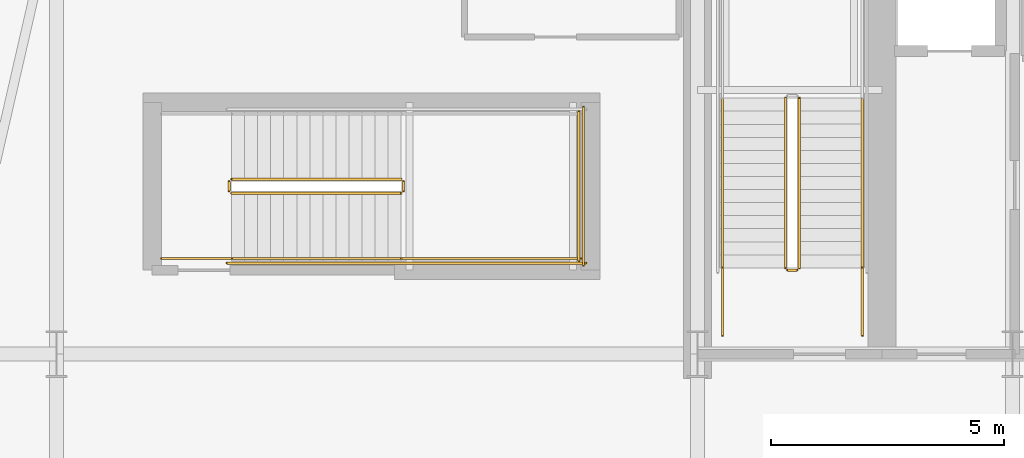
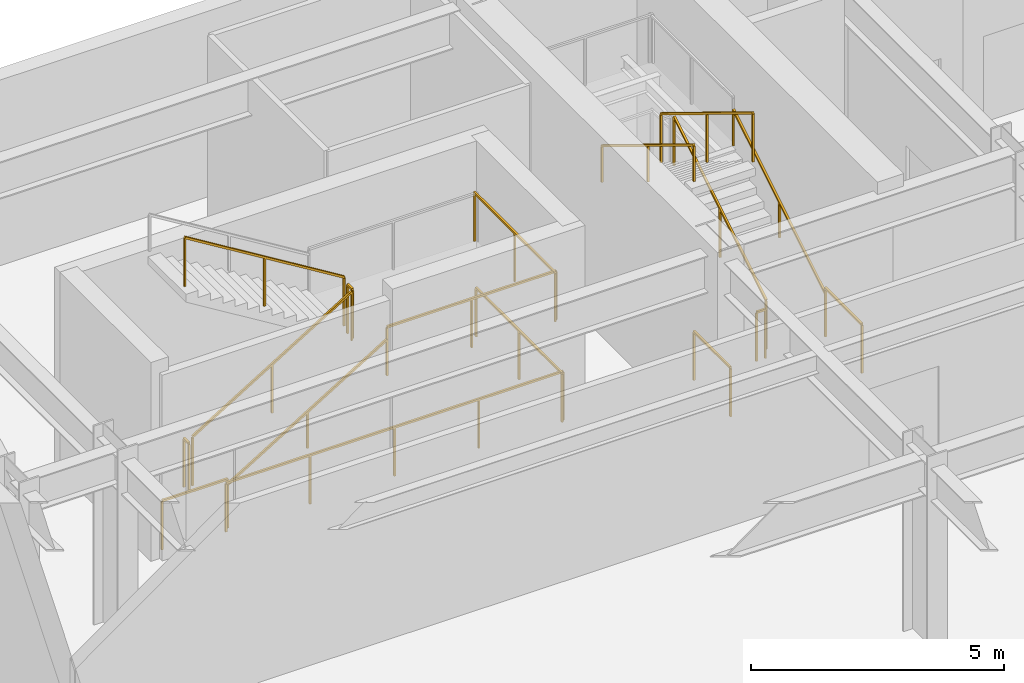
# One storey, part 22 of 30: 17 railings.
"""IFC4 building model written with IfcOpenShell, lengths in metres."""

from ifc_helpers import new_model, si_unit, direction, frame, origin, origin_2d, place, context, subcontext, project, spatial, rectangle, extrude, material, type_object, element, save


model = new_model("IFC4")

# Units and contexts
model_context = context("Model", 3, precision=1e-05, world=origin(), true_north=direction((0.0, 1.0)))
body_context = subcontext(model_context, "Body", "Model", "MODEL_VIEW")
ifc_project = project(units=[si_unit("LENGTHUNIT", "METRE"), si_unit("AREAUNIT", "SQUARE_METRE"), si_unit("VOLUMEUNIT", "CUBIC_METRE"), si_unit("PLANEANGLEUNIT", "RADIAN"), si_unit("MASSUNIT", "GRAM", prefix="KILO")], contexts=[model_context])

# Site, building, storey
site_placement = place(None, origin())
site = spatial("IfcSite", under=ifc_project, at=site_placement, CompositionType="ELEMENT")
building_placement = place(site_placement, origin())
building = spatial("IfcBuilding", under=site, at=building_placement, Name="Haevon Station Towers", CompositionType="ELEMENT")
storey_placement = place(building_placement, frame((0.0, 0.0, 15.60009765625)))
storey = spatial("IfcBuildingStorey", under=building, at=storey_placement, Name="L03", CompositionType="ELEMENT", Elevation=15.60009765625)

# Railings
ifc_material = material(Name="Steel S355", Category="steel")
railing_type_1 = type_object("IfcRailingType", Name="GRD-STR1200", PredefinedType="GUARDRAIL", material=ifc_material)
railing_1_placement = place(storey_placement, frame((26.179931640625, 40.050048828125, 0.17138671875)))
element("IfcRailing", 1, at=railing_1_placement, inside=storey, type_object=railing_type_1, Name="L03 ST1 Stair Guard 1", PredefinedType="GUARDRAIL", context=body_context, shape_type="SweptSolid", body=[
    extrude(rectangle(XDim=0.048095703125, YDim=0.048095703125, at=origin_2d()), frame((0.0, 0.0, 1.17578125), z_axis=(0.0, 0.852850264322, 0.5221555579), x_axis=(-1.0, 0.0, 0.0)), (0.0, 0.0, 1.0), 4.267822265625),
    extrude(rectangle(XDim=0.0419921875, YDim=0.0419921875, at=origin_2d()), origin(), (0.0, 0.0, 1.0), 1.15185546875),
    extrude(rectangle(XDim=0.0419921875, YDim=0.0419921875, at=origin_2d()), frame((0.0, 1.81982421875, 1.1142578125)), (0.0, 0.0, 1.0), 1.15185546875),
    extrude(rectangle(XDim=0.0419921875, YDim=0.0419921875, at=origin_2d()), frame((0.0, 3.639892578125, 2.228515625)), (0.0, 0.0, 1.0), 1.15185546875),
])
railing_2_placement = place(storey_placement, frame((25.8798828125, 43.68994140625, 2.5712890625)))
element("IfcRailing", 2, at=railing_2_placement, inside=storey, type_object=railing_type_1, Name="L03 ST1 Stair Guard 6", PredefinedType="GUARDRAIL", context=body_context, shape_type="SweptSolid", body=[
    extrude(rectangle(XDim=0.048095703125, YDim=0.048095703125, at=origin_2d()), frame((0.0, 0.0, 1.17578125), z_axis=(0.0, -0.852850264322, 0.5221555579), x_axis=(1.0, 0.0, 0.0)), (0.0, 0.0, 1.0), 4.267822265625),
    extrude(rectangle(XDim=0.0419921875, YDim=0.0419921875, at=origin_2d()), origin(), (0.0, 0.0, 1.0), 1.15185546875),
    extrude(rectangle(XDim=0.0419921875, YDim=0.0419921875, at=origin_2d()), frame((0.0, -1.81982421875, 1.1142578125)), (0.0, 0.0, 1.0), 1.15185546875),
    extrude(rectangle(XDim=0.0419921875, YDim=0.0419921875, at=origin_2d()), frame((0.0, -3.639892578125, 2.228515625)), (0.0, 0.0, 1.0), 1.15185546875),
])
railing_3_placement = place(storey_placement, frame((26.1298828125, 40.0, 0.0)))
element("IfcRailing", 3, at=railing_3_placement, inside=storey, type_object=railing_type_1, Name="L03 ST1 Stair Guard 7", PredefinedType="GUARDRAIL", context=body_context, shape_type="SweptSolid", body=[
    extrude(rectangle(XDim=0.048095703125, YDim=0.048095703125, at=origin_2d()), frame((0.0, 0.0, 1.17578125), z_axis=(-1.0, 0.0, 0.0), x_axis=(0.0, -1.0, 0.0)), (0.0, 0.0, 1.0), 0.199951171875),
    extrude(rectangle(XDim=0.0419921875, YDim=0.0419921875, at=origin_2d()), origin(), (0.0, 0.0, 1.0), 1.15185546875),
    extrude(rectangle(XDim=0.0419921875, YDim=0.0419921875, at=origin_2d()), frame((-0.199951171875, 0.0, 0.0)), (0.0, 0.0, 1.0), 1.15185546875),
])
for number, where, name in (
    (4, (27.530029296875, 38.60009765625, 0.0), "L03 ST1 Stair Guard 8"),
    (5, (24.530029296875, 38.60009765625, 0.0), "L03 ST1 Stair Guard 9"),
):
    element("IfcRailing", number, at=place(storey_placement, frame(where)), inside=storey, type_object=railing_type_1, Name=name, PredefinedType="GUARDRAIL", context=body_context, shape_type="SweptSolid", body=[
        extrude(rectangle(XDim=0.048095703125, YDim=0.048095703125, at=origin_2d()), frame((0.0, 0.0, 1.17578125), z_axis=(0.0, 1.0, 0.0), x_axis=(-1.0, 0.0, 0.0)), (0.0, 0.0, 1.0), 1.449951171875),
        extrude(rectangle(XDim=0.0419921875, YDim=0.0419921875, at=origin_2d()), origin(), (0.0, 0.0, 1.0), 1.15185546875),
        extrude(rectangle(XDim=0.0419921875, YDim=0.0419921875, at=origin_2d()), frame((0.0, 1.449951171875, 0.0)), (0.0, 0.0, 1.0), 1.15185546875),
    ])
railing_4_placement = place(storey_placement, frame((14.0, 41.64990234375, 0.17138671875)))
element("IfcRailing", 6, at=railing_4_placement, inside=storey, type_object=railing_type_1, Name="L03 ST5 Stair Guard 1", PredefinedType="GUARDRAIL", context=body_context, shape_type="SweptSolid", body=[
    extrude(rectangle(XDim=0.048095703125, YDim=0.048095703125, at=origin_2d()), frame((0.0, 0.0, 1.17578125), z_axis=(0.852850264322, 0.0, 0.5221555579), x_axis=(0.0, 1.0, 0.0)), (0.0, 0.0, 1.0), 4.267822265625),
    extrude(rectangle(XDim=0.0419921875, YDim=0.0419921875, at=origin_2d()), origin(), (0.0, 0.0, 1.0), 1.15185546875),
    extrude(rectangle(XDim=0.0419921875, YDim=0.0419921875, at=origin_2d()), frame((1.81982421875, 0.0, 1.1142578125)), (0.0, 0.0, 1.0), 1.15185546875),
    extrude(rectangle(XDim=0.0419921875, YDim=0.0419921875, at=origin_2d()), frame((3.639892578125, 0.0, 2.228515625)), (0.0, 0.0, 1.0), 1.15185546875),
])
railing_5_placement = place(storey_placement, frame((17.68994140625, 41.699951171875, 2.39990234375)))
element("IfcRailing", 7, at=railing_5_placement, inside=storey, type_object=railing_type_1, Name="L03 ST5 Stair Guard 2", PredefinedType="GUARDRAIL", context=body_context, shape_type="SweptSolid", body=[
    extrude(rectangle(XDim=0.048095703125, YDim=0.048095703125, at=origin_2d()), frame((0.0, 0.0, 1.17578125), z_axis=(0.0, 1.0, 0.0), x_axis=(-1.0, 0.0, 0.0)), (0.0, 0.0, 1.0), 0.199951171875),
    extrude(rectangle(XDim=0.0419921875, YDim=0.0419921875, at=origin_2d()), origin(), (0.0, 0.0, 1.0), 1.15185546875),
    extrude(rectangle(XDim=0.0419921875, YDim=0.0419921875, at=origin_2d()), frame((0.0, 0.199951171875, 0.0)), (0.0, 0.0, 1.0), 1.15185546875),
])
railing_6_placement = place(storey_placement, frame((17.639892578125, 40.25, 2.39990234375)))
element("IfcRailing", 8, at=railing_6_placement, inside=storey, type_object=railing_type_1, Name="L03 ST5 Stair Guard 3", PredefinedType="GUARDRAIL", context=body_context, shape_type="SweptSolid", body=[
    extrude(rectangle(XDim=0.048095703125, YDim=0.048095703125, at=origin_2d()), frame((0.0, 0.0, 1.17578125), z_axis=(1.0, 0.0, 0.0), x_axis=(0.0, 1.0, 0.0)), (0.0, 0.0, 1.0), 3.860107421875),
    extrude(rectangle(XDim=0.0419921875, YDim=0.0419921875, at=origin_2d()), origin(), (0.0, 0.0, 1.0), 1.15185546875),
    extrude(rectangle(XDim=0.0419921875, YDim=0.0419921875, at=origin_2d()), frame((1.93017578125, 0.0, 0.0)), (0.0, 0.0, 1.0), 1.15185546875),
    extrude(rectangle(XDim=0.0419921875, YDim=0.0419921875, at=origin_2d()), frame((3.860107421875, 0.0, 0.0)), (0.0, 0.0, 1.0), 1.15185546875),
])
railing_7_placement = place(storey_placement, frame((21.449951171875, 40.199951171875, 2.39990234375)))
element("IfcRailing", 9, at=railing_7_placement, inside=storey, type_object=railing_type_1, Name="L03 ST5 Stair Guard 5", PredefinedType="GUARDRAIL", context=body_context, shape_type="SweptSolid", body=[
    extrude(rectangle(XDim=0.048095703125, YDim=0.048095703125, at=origin_2d()), frame((0.0, 0.0, 1.17578125), z_axis=(0.0, 1.0, 0.0), x_axis=(-1.0, 0.0, 0.0)), (0.0, 0.0, 1.0), 3.199951171875),
    extrude(rectangle(XDim=0.0419921875, YDim=0.0419921875, at=origin_2d()), origin(), (0.0, 0.0, 1.0), 1.15185546875),
    extrude(rectangle(XDim=0.0419921875, YDim=0.0419921875, at=origin_2d()), frame((0.0, 1.60009765625, 0.0)), (0.0, 0.0, 1.0), 1.15185546875),
    extrude(rectangle(XDim=0.0419921875, YDim=0.0419921875, at=origin_2d()), frame((0.0, 3.199951171875, 0.0)), (0.0, 0.0, 1.0), 1.15185546875),
])
railing_8_placement = place(storey_placement, frame((17.639892578125, 41.949951171875, 2.5712890625)))
element("IfcRailing", 10, at=railing_8_placement, inside=storey, type_object=railing_type_1, Name="L03 ST5 Stair Guard 6", PredefinedType="GUARDRAIL", context=body_context, shape_type="SweptSolid", body=[
    extrude(rectangle(XDim=0.048095703125, YDim=0.048095703125, at=origin_2d()), frame((0.0, 0.0, 1.17578125), z_axis=(-0.852850264322, 0.0, 0.5221555579), x_axis=(0.0, -1.0, 0.0)), (0.0, 0.0, 1.0), 4.267822265625),
    extrude(rectangle(XDim=0.0419921875, YDim=0.0419921875, at=origin_2d()), origin(), (0.0, 0.0, 1.0), 1.15185546875),
    extrude(rectangle(XDim=0.0419921875, YDim=0.0419921875, at=origin_2d()), frame((-1.81982421875, 0.0, 1.1142578125)), (0.0, 0.0, 1.0), 1.15185546875),
    extrude(rectangle(XDim=0.0419921875, YDim=0.0419921875, at=origin_2d()), frame((-3.639892578125, 0.0, 2.228515625)), (0.0, 0.0, 1.0), 1.15185546875),
])
railing_9_placement = place(storey_placement, frame((13.949951171875, 41.699951171875, 0.0)))
element("IfcRailing", 11, at=railing_9_placement, inside=storey, type_object=railing_type_1, Name="L03 ST5 Stair Guard 7", PredefinedType="GUARDRAIL", context=body_context, shape_type="SweptSolid", body=[
    extrude(rectangle(XDim=0.048095703125, YDim=0.048095703125, at=origin_2d()), frame((0.0, 0.0, 1.17578125), z_axis=(0.0, 1.0, 0.0), x_axis=(-1.0, 0.0, 0.0)), (0.0, 0.0, 1.0), 0.199951171875),
    extrude(rectangle(XDim=0.0419921875, YDim=0.0419921875, at=origin_2d()), origin(), (0.0, 0.0, 1.0), 1.15185546875),
    extrude(rectangle(XDim=0.0419921875, YDim=0.0419921875, at=origin_2d()), frame((0.0, 0.199951171875, 0.0)), (0.0, 0.0, 1.0), 1.15185546875),
])
railing_10_placement = place(storey_placement, frame((12.5, 40.25, 0.0)))
element("IfcRailing", 12, at=railing_10_placement, inside=storey, type_object=railing_type_1, Name="L03 ST5 Stair Guard 8", PredefinedType="GUARDRAIL", context=body_context, shape_type="SweptSolid", body=[
    extrude(rectangle(XDim=0.048095703125, YDim=0.048095703125, at=origin_2d()), frame((0.0, 0.0, 1.17578125), z_axis=(1.0, 0.0, 0.0), x_axis=(0.0, 1.0, 0.0)), (0.0, 0.0, 1.0), 1.5),
    extrude(rectangle(XDim=0.0419921875, YDim=0.0419921875, at=origin_2d()), origin(), (0.0, 0.0, 1.0), 1.15185546875),
    extrude(rectangle(XDim=0.0419921875, YDim=0.0419921875, at=origin_2d()), frame((1.5, 0.0, 0.0)), (0.0, 0.0, 1.0), 1.15185546875),
])
railing_11_placement = place(storey_placement, frame((13.89990234375, 40.14990234375, 0.0)))
element("IfcRailing", 13, at=railing_11_placement, inside=storey, type_object=railing_type_1, Name="L03 ST5 Stair Guard 10", PredefinedType="GUARDRAIL", context=body_context, shape_type="SweptSolid", body=[
    extrude(rectangle(XDim=0.048095703125, YDim=0.048095703125, at=origin_2d()), frame((0.0, 0.0, 1.17578125), z_axis=(1.0, 0.0, 0.0), x_axis=(0.0, 1.0, 0.0)), (0.0, 0.0, 1.0), 7.7001953125),
    extrude(rectangle(XDim=0.0419921875, YDim=0.0419921875, at=origin_2d()), origin(), (0.0, 0.0, 1.0), 1.15185546875),
    extrude(rectangle(XDim=0.0419921875, YDim=0.0419921875, at=origin_2d()), frame((1.925048828125, 0.0, 0.0)), (0.0, 0.0, 1.0), 1.15185546875),
    extrude(rectangle(XDim=0.0419921875, YDim=0.0419921875, at=origin_2d()), frame((3.85009765625, 0.0, 0.0)), (0.0, 0.0, 1.0), 1.15185546875),
    extrude(rectangle(XDim=0.0419921875, YDim=0.0419921875, at=origin_2d()), frame((5.775146484375, 0.0, 0.0)), (0.0, 0.0, 1.0), 1.15185546875),
    extrude(rectangle(XDim=0.0419921875, YDim=0.0419921875, at=origin_2d()), frame((7.7001953125, 0.0, 0.0)), (0.0, 0.0, 1.0), 1.15185546875),
])
railing_12_placement = place(storey_placement, frame((21.550048828125, 40.10009765625, 0.0)))
element("IfcRailing", 14, at=railing_12_placement, inside=storey, type_object=railing_type_1, Name="L03 ST5 Stair Guard 12", PredefinedType="GUARDRAIL", context=body_context, shape_type="SweptSolid", body=[
    extrude(rectangle(XDim=0.048095703125, YDim=0.048095703125, at=origin_2d()), frame((0.0, 0.0, 1.17578125), z_axis=(0.0, 1.0, 0.0), x_axis=(-1.0, 0.0, 0.0)), (0.0, 0.0, 1.0), 3.39990234375),
    extrude(rectangle(XDim=0.0419921875, YDim=0.0419921875, at=origin_2d()), origin(), (0.0, 0.0, 1.0), 1.15185546875),
    extrude(rectangle(XDim=0.0419921875, YDim=0.0419921875, at=origin_2d()), frame((0.0, 1.699951171875, 0.0)), (0.0, 0.0, 1.0), 1.15185546875),
    extrude(rectangle(XDim=0.0419921875, YDim=0.0419921875, at=origin_2d()), frame((0.0, 3.39990234375, 0.0)), (0.0, 0.0, 1.0), 1.15185546875),
])
railing_type_2 = type_object("IfcRailingType", Name="HND-STR900", PredefinedType="HANDRAIL", material=ifc_material)
railing_13_placement = place(storey_placement, frame((27.530029296875, 40.050048828125, 0.17138671875)))
element("IfcRailing", 15, at=railing_13_placement, inside=storey, type_object=railing_type_2, Name="L03 ST1 Stair Handrail 1", PredefinedType="HANDRAIL", context=body_context, shape_type="SweptSolid", body=[
    extrude(rectangle(XDim=0.048095703125, YDim=0.048095703125, at=origin_2d()), frame((0.0, 0.0, 0.8759765625), z_axis=(0.0, 0.852850264322, 0.5221555579), x_axis=(-1.0, 0.0, 0.0)), (0.0, 0.0, 1.0), 4.267822265625),
    extrude(rectangle(XDim=0.0419921875, YDim=0.0419921875, at=origin_2d()), origin(), (0.0, 0.0, 1.0), 0.851806640625),
    extrude(rectangle(XDim=0.0419921875, YDim=0.0419921875, at=origin_2d()), frame((0.0, 1.81982421875, 1.1142578125)), (0.0, 0.0, 1.0), 0.851806640625),
    extrude(rectangle(XDim=0.0419921875, YDim=0.0419921875, at=origin_2d()), frame((0.0, 3.639892578125, 2.228515625)), (0.0, 0.0, 1.0), 0.851806640625),
])
railing_14_placement = place(storey_placement, frame((24.530029296875, 43.68994140625, 2.5712890625)))
element("IfcRailing", 16, at=railing_14_placement, inside=storey, type_object=railing_type_2, Name="L03 ST1 Stair Handrail 2", PredefinedType="HANDRAIL", context=body_context, shape_type="SweptSolid", body=[
    extrude(rectangle(XDim=0.048095703125, YDim=0.048095703125, at=origin_2d()), frame((0.0, 0.0, 0.8759765625), z_axis=(0.0, -0.852850264322, 0.5221555579), x_axis=(1.0, 0.0, 0.0)), (0.0, 0.0, 1.0), 4.267822265625),
    extrude(rectangle(XDim=0.0419921875, YDim=0.0419921875, at=origin_2d()), origin(), (0.0, 0.0, 1.0), 0.851806640625),
    extrude(rectangle(XDim=0.0419921875, YDim=0.0419921875, at=origin_2d()), frame((0.0, -1.81982421875, 1.1142578125)), (0.0, 0.0, 1.0), 0.851806640625),
    extrude(rectangle(XDim=0.0419921875, YDim=0.0419921875, at=origin_2d()), frame((0.0, -3.639892578125, 2.228515625)), (0.0, 0.0, 1.0), 0.851806640625),
])
railing_15_placement = place(storey_placement, frame((14.0, 40.25, 0.17138671875)))
element("IfcRailing", 17, at=railing_15_placement, inside=storey, type_object=railing_type_2, Name="L03 ST5 Stair Handrail 1", PredefinedType="HANDRAIL", context=body_context, shape_type="SweptSolid", body=[
    extrude(rectangle(XDim=0.048095703125, YDim=0.048095703125, at=origin_2d()), frame((0.0, 0.0, 0.8759765625), z_axis=(0.852850264322, 0.0, 0.5221555579), x_axis=(0.0, 1.0, 0.0)), (0.0, 0.0, 1.0), 4.267822265625),
    extrude(rectangle(XDim=0.0419921875, YDim=0.0419921875, at=origin_2d()), origin(), (0.0, 0.0, 1.0), 0.851806640625),
    extrude(rectangle(XDim=0.0419921875, YDim=0.0419921875, at=origin_2d()), frame((1.81982421875, 0.0, 1.1142578125)), (0.0, 0.0, 1.0), 0.851806640625),
    extrude(rectangle(XDim=0.0419921875, YDim=0.0419921875, at=origin_2d()), frame((3.639892578125, 0.0, 2.228515625)), (0.0, 0.0, 1.0), 0.851806640625),
])

save(model, "model.ifc")
